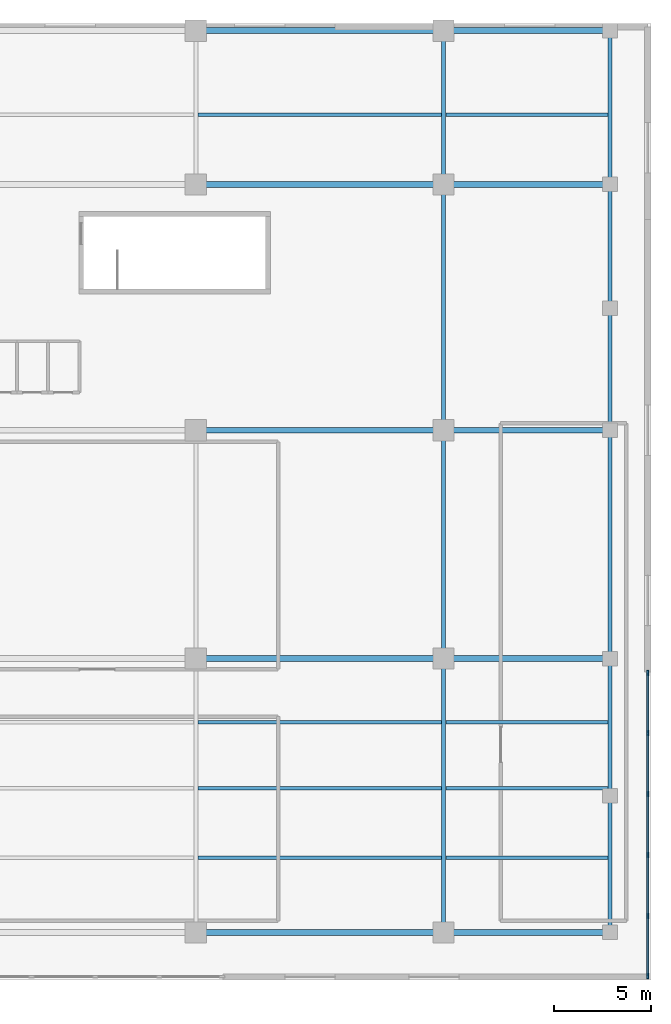
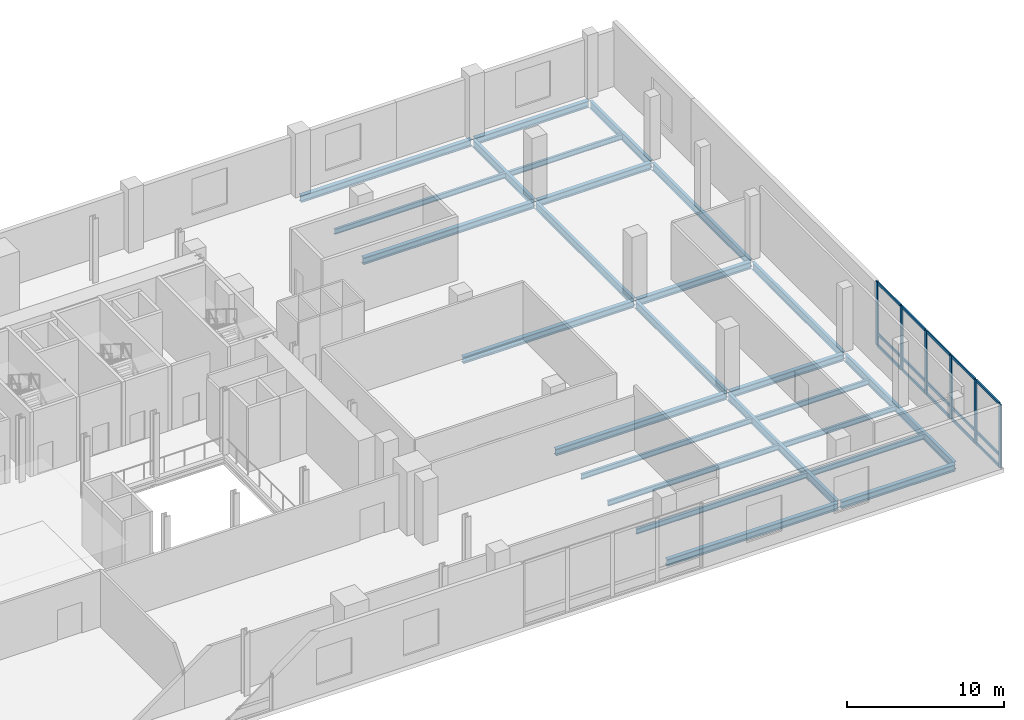
# One storey, part 5 of 13: 26 beams, 21 members, 1 element without a shape of its own.
"""IFC4 building model written with IfcOpenShell, lengths in metres."""

from ifc_helpers import new_model, si_unit, direction, frame, origin, origin_2d, place, context, subcontext, project, spatial, rectangle, i_section, extrude, source, transform, mapped, material, material_profile, profile_set, type_object, element, aggregate, save


model = new_model("IFC4")

# Units and contexts
model_context = context("Model", 3, precision=1e-05, world=origin(), true_north=direction((0.0, 1.0)))
body_context = subcontext(model_context, "Body", "Model", "MODEL_VIEW")
ifc_project = project(units=[si_unit("LENGTHUNIT", "METRE"), si_unit("AREAUNIT", "SQUARE_METRE"), si_unit("VOLUMEUNIT", "CUBIC_METRE"), si_unit("PLANEANGLEUNIT", "RADIAN"), si_unit("MASSUNIT", "GRAM", prefix="KILO")], contexts=[model_context])

# Site, building, storey
site_placement = place(None, origin())
site = spatial("IfcSite", under=ifc_project, at=site_placement, CompositionType="ELEMENT")
building_placement = place(site_placement, origin())
building = spatial("IfcBuilding", under=site, at=building_placement, Name="Vardaveli Station Tower", CompositionType="ELEMENT")
storey_placement = place(building_placement, frame((0.0, 0.0, 22.39990234375)))
storey = spatial("IfcBuildingStorey", under=building, at=storey_placement, Name="L05", CompositionType="ELEMENT", Elevation=22.39990234375)

# Beams
ifc_material_1 = material(Name="Structural steel S355J2", Category="steel")
ifc_material_profile_1 = material_profile(ifc_material_1, i_section(OverallWidth=0.305908203125, OverallDepth=0.52392578125, WebThickness=0.02099609375, FlangeThickness=0.0400390625, FilletRadius=0.027099609375, at=origin_2d()), Name="HEM 500")
ifc_profile_set_1 = profile_set([ifc_material_profile_1], Name="Structural steel S355J2")
beam_type_1 = type_object("IfcBeamType", Name="BM-HEM500", PredefinedType="BEAM", material=ifc_profile_set_1)
shared_shape_1 = source(origin(), body_context, "Body", "SweptSolid", [
    extrude(i_section(OverallWidth=0.305908203125, OverallDepth=0.52392578125, WebThickness=0.02099609375, FlangeThickness=0.0400390625, FilletRadius=0.027099609375, at=origin_2d()), origin(), (0.0, 0.0, 1.0), 12.559814453125),
])
for number, where, z_axis, x_axis, name in (
    (1, (60.1201171875, 2.949951171875, -0.581787109375), (1.0, 0.0, 0.0), (0.0, 1.0, 0.0), "PBM-L05-EW0-1"),
    (2, (60.1201171875, 17.10009765625, -0.581787109375), (1.0, 0.0, 0.0), (0.0, 1.0, 0.0), "PBM-L05-EW1-1"),
    (3, (60.1201171875, 28.89990234375, -0.581787109375), (1.0, 0.0, 0.0), (0.0, 1.0, 0.0), "PBM-L05-EW2-1"),
    (4, (60.1201171875, 41.60009765625, -0.581787109375), (1.0, 0.0, 0.0), (0.0, 1.0, 0.0), "PBM-L05-EW3-1"),
    (5, (60.1201171875, 49.550048828125, -0.581787109375), (1.0, 0.0, 0.0), (0.0, 1.0, 0.0), "PBM-L05-EW4-1"),
):
    element("IfcBeam", number, at=place(storey_placement, frame(where, z_axis=z_axis, x_axis=x_axis)), inside=storey, type_object=beam_type_1, Name=name, PredefinedType="BEAM", context=body_context, shape_type="MappedRepresentation", body=[
        mapped(shared_shape_1, transform((0.0, 0.0, 0.0), scale=1.0)),
    ])
ifc_material_profile_2 = material_profile(ifc_material_1, i_section(OverallWidth=0.219970703125, OverallDepth=0.60009765625, WebThickness=0.011962890625, FlangeThickness=0.01904296875, FilletRadius=0.02392578125, at=origin_2d()), Name="IPE 600")
ifc_profile_set_2 = profile_set([ifc_material_profile_2], Name="Structural steel S355J2")
beam_type_2 = type_object("IfcBeamType", Name="BM-IPE600", PredefinedType="BEAM", material=ifc_profile_set_2)
shared_shape_2 = source(origin(), body_context, "Body", "SweptSolid", [
    extrude(i_section(OverallWidth=0.219970703125, OverallDepth=0.60009765625, WebThickness=0.011962890625, FlangeThickness=0.01904296875, FilletRadius=0.02392578125, at=origin_2d()), origin(), (0.0, 0.0, 1.0), 13.909912109375),
])
for number, where, z_axis, x_axis, name in (
    (6, (72.800048828125, 3.070068359375, -0.619873046875), (0.0, 1.0, 0.0), (-1.0, 0.0, 0.0), "PBM-L05-NS2-0"),
    (7, (81.39990234375, 3.070068359375, -0.619873046875), (0.0, 1.0, 0.0), (-1.0, 0.0, 0.0), "PBM-L05-NS3-0"),
):
    element("IfcBeam", number, at=place(storey_placement, frame(where, z_axis=z_axis, x_axis=x_axis)), inside=storey, type_object=beam_type_2, Name=name, PredefinedType="BEAM", context=body_context, shape_type="MappedRepresentation", body=[
        mapped(shared_shape_2, transform((0.0, 0.0, 0.0), scale=1.0)),
    ])
shared_shape_3 = source(origin(), body_context, "Body", "SweptSolid", [
    extrude(i_section(OverallWidth=0.219970703125, OverallDepth=0.60009765625, WebThickness=0.011962890625, FlangeThickness=0.01904296875, FilletRadius=0.02392578125, at=origin_2d()), origin(), (0.0, 0.0, 1.0), 11.56005859375),
])
for number, where, z_axis, x_axis, name in (
    (8, (72.800048828125, 17.219970703125, -0.619873046875), (0.0, 1.0, 0.0), (-1.0, 0.0, 0.0), "PBM-L05-NS2-1"),
    (9, (81.39990234375, 17.219970703125, -0.619873046875), (0.0, 1.0, 0.0), (-1.0, 0.0, 0.0), "PBM-L05-NS3-1"),
):
    element("IfcBeam", number, at=place(storey_placement, frame(where, z_axis=z_axis, x_axis=x_axis)), inside=storey, type_object=beam_type_2, Name=name, PredefinedType="BEAM", context=body_context, shape_type="MappedRepresentation", body=[
        mapped(shared_shape_3, transform((0.0, 0.0, 0.0), scale=1.0)),
    ])
shared_shape_4 = source(origin(), body_context, "Body", "SweptSolid", [
    extrude(i_section(OverallWidth=0.219970703125, OverallDepth=0.60009765625, WebThickness=0.011962890625, FlangeThickness=0.01904296875, FilletRadius=0.02392578125, at=origin_2d()), origin(), (0.0, 0.0, 1.0), 12.4599609375),
])
for number, where, z_axis, x_axis, name in (
    (10, (72.800048828125, 29.02001953125, -0.619873046875), (0.0, 1.0, 0.0), (-1.0, 0.0, 0.0), "PBM-L05-NS2-2"),
    (11, (81.39990234375, 29.02001953125, -0.619873046875), (0.0, 1.0, 0.0), (-1.0, 0.0, 0.0), "PBM-L05-NS3-2"),
):
    element("IfcBeam", number, at=place(storey_placement, frame(where, z_axis=z_axis, x_axis=x_axis)), inside=storey, type_object=beam_type_2, Name=name, PredefinedType="BEAM", context=body_context, shape_type="MappedRepresentation", body=[
        mapped(shared_shape_4, transform((0.0, 0.0, 0.0), scale=1.0)),
    ])
shared_shape_5 = source(origin(), body_context, "Body", "SweptSolid", [
    extrude(i_section(OverallWidth=0.219970703125, OverallDepth=0.60009765625, WebThickness=0.011962890625, FlangeThickness=0.01904296875, FilletRadius=0.02392578125, at=origin_2d()), origin(), (0.0, 0.0, 1.0), 7.7099609375),
])
for number, where, z_axis, x_axis, name in (
    (12, (72.800048828125, 41.719970703125, -0.619873046875), (0.0, 1.0, 0.0), (-1.0, 0.0, 0.0), "PBM-L05-NS2-3"),
    (13, (81.39990234375, 41.719970703125, -0.619873046875), (0.0, 1.0, 0.0), (-1.0, 0.0, 0.0), "PBM-L05-NS3-3"),
):
    element("IfcBeam", number, at=place(storey_placement, frame(where, z_axis=z_axis, x_axis=x_axis)), inside=storey, type_object=beam_type_2, Name=name, PredefinedType="BEAM", context=body_context, shape_type="MappedRepresentation", body=[
        mapped(shared_shape_5, transform((0.0, 0.0, 0.0), scale=1.0)),
    ])
ifc_material_profile_3 = material_profile(ifc_material_1, i_section(OverallWidth=0.179931640625, OverallDepth=0.39990234375, WebThickness=0.008544921875, FlangeThickness=0.013427734375, FilletRadius=0.02099609375, at=origin_2d()), Name="IPE 400")
ifc_profile_set_3 = profile_set([ifc_material_profile_3], Name="Structural steel S355J2")
beam_type_3 = type_object("IfcBeamType", Name="BM-IPE400", PredefinedType="JOIST", material=ifc_profile_set_3)
shared_shape_6 = source(origin(), body_context, "Body", "SweptSolid", [
    extrude(i_section(OverallWidth=0.179931640625, OverallDepth=0.39990234375, WebThickness=0.008544921875, FlangeThickness=0.013427734375, FilletRadius=0.02099609375, at=origin_2d()), origin(), (0.0, 0.0, 1.0), 12.575927734375),
])
for number, where, z_axis, x_axis, name in (
    (14, (60.112060546875, 6.800048828125, -0.52001953125), (1.0, 0.0, 0.0), (0.0, 1.0, 0.0), "PJ-L05-1-1"),
    (15, (60.112060546875, 10.39990234375, -0.52001953125), (1.0, 0.0, 0.0), (0.0, 1.0, 0.0), "PJ-L05-2-1"),
    (16, (60.112060546875, 13.800048828125, -0.52001953125), (1.0, 0.0, 0.0), (0.0, 1.0, 0.0), "PJ-L05-3-1"),
    (17, (60.112060546875, 45.199951171875, -0.52001953125), (1.0, 0.0, 0.0), (0.0, 1.0, 0.0), "PJ-L05-4-1"),
):
    element("IfcBeam", number, at=place(storey_placement, frame(where, z_axis=z_axis, x_axis=x_axis)), inside=storey, type_object=beam_type_3, Name=name, PredefinedType="JOIST", context=body_context, shape_type="MappedRepresentation", body=[
        mapped(shared_shape_6, transform((0.0, 0.0, 0.0), scale=1.0)),
    ])
shared_shape_7 = source(origin(), body_context, "Body", "SweptSolid", [
    extrude(i_section(OverallWidth=0.305908203125, OverallDepth=0.52392578125, WebThickness=0.02099609375, FlangeThickness=0.0400390625, FilletRadius=0.027099609375, at=origin_2d()), origin(), (0.0, 0.0, 1.0), 8.360107421875),
])
for number, where, z_axis, x_axis, name in (
    (18, (72.919921875, 2.949951171875, -0.581787109375), (1.0, 0.0, 0.0), (0.0, 1.0, 0.0), "PBM-L05-EW0-2"),
    (19, (72.919921875, 17.10009765625, -0.581787109375), (1.0, 0.0, 0.0), (0.0, 1.0, 0.0), "PBM-L05-EW1-2"),
    (20, (72.919921875, 28.89990234375, -0.581787109375), (1.0, 0.0, 0.0), (0.0, 1.0, 0.0), "PBM-L05-EW2-2"),
    (21, (72.919921875, 41.60009765625, -0.581787109375), (1.0, 0.0, 0.0), (0.0, 1.0, 0.0), "PBM-L05-EW3-2"),
    (22, (72.919921875, 49.550048828125, -0.581787109375), (1.0, 0.0, 0.0), (0.0, 1.0, 0.0), "PBM-L05-EW4-2"),
):
    element("IfcBeam", number, at=place(storey_placement, frame(where, z_axis=z_axis, x_axis=x_axis)), inside=storey, type_object=beam_type_1, Name=name, PredefinedType="BEAM", context=body_context, shape_type="MappedRepresentation", body=[
        mapped(shared_shape_7, transform((0.0, 0.0, 0.0), scale=1.0)),
    ])
shared_shape_8 = source(origin(), body_context, "Body", "SweptSolid", [
    extrude(i_section(OverallWidth=0.179931640625, OverallDepth=0.39990234375, WebThickness=0.008544921875, FlangeThickness=0.013427734375, FilletRadius=0.02099609375, at=origin_2d()), origin(), (0.0, 0.0, 1.0), 8.3759765625),
])
for number, where, z_axis, x_axis, name in (
    (23, (72.912109375, 6.800048828125, -0.52001953125), (1.0, 0.0, 0.0), (0.0, 1.0, 0.0), "PJ-L05-1-2"),
    (24, (72.912109375, 10.39990234375, -0.52001953125), (1.0, 0.0, 0.0), (0.0, 1.0, 0.0), "PJ-L05-2-2"),
    (25, (72.912109375, 13.800048828125, -0.52001953125), (1.0, 0.0, 0.0), (0.0, 1.0, 0.0), "PJ-L05-3-2"),
    (26, (72.912109375, 45.199951171875, -0.52001953125), (1.0, 0.0, 0.0), (0.0, 1.0, 0.0), "PJ-L05-4-2"),
):
    element("IfcBeam", number, at=place(storey_placement, frame(where, z_axis=z_axis, x_axis=x_axis)), inside=storey, type_object=beam_type_3, Name=name, PredefinedType="JOIST", context=body_context, shape_type="MappedRepresentation", body=[
        mapped(shared_shape_8, transform((0.0, 0.0, 0.0), scale=1.0)),
    ])

# Curtain wall, members
ifc_material_2 = material(Name="Travertine stone and solar-control glass", Category="masonry")
curtain_wall_type = type_object("IfcCurtainWallType", Name="CW-SYS-1", PredefinedType="NOTDEFINED", material=ifc_material_2)
curtain_wall_placement = place(storey_placement, origin())
curtain_wall = element("IfcCurtainWall", 27, at=curtain_wall_placement, inside=storey, type_object=curtain_wall_type, Name="CW-L05-E1", PredefinedType="NOTDEFINED")
ifc_material_3 = material(Name="Anodised aluminium alloy 6063-T6", Category="aluminium")
ifc_material_profile_4 = material_profile(ifc_material_3, rectangle(XDim=0.094970703125, YDim=0.2099609375, at=origin_2d()), Name="CWT 95x210")
ifc_profile_set_4 = profile_set([ifc_material_profile_4], Name="Anodised aluminium alloy 6063-T6")
member_type_1 = type_object("IfcMemberType", Name="CW-SYS-1-TRAN", PredefinedType="NOTDEFINED", material=ifc_profile_set_4)
shared_shape_9 = source(origin(), body_context, "Body", "SweptSolid", [
    extrude(rectangle(XDim=0.094970703125, YDim=0.2099609375, at=origin_2d()), origin(), (0.0, 0.0, 1.0), 3.00732421875),
])
member_1_placement = place(storey_placement, frame((83.35009765625, 0.7451171875, 0.047607421875), z_axis=(0.0, 1.0, 0.0), x_axis=(-1.0, 0.0, 0.0)))
member_1 = element("IfcMember", 28, at=member_1_placement, type_object=member_type_1, Name="CW-1 transom 1.1", ObjectType="TRANSOM", PredefinedType="USERDEFINED", context=body_context, shape_type="MappedRepresentation", body=[
    mapped(shared_shape_9, transform((0.0, 0.0, 0.0), scale=1.0)),
])
member_2_placement = place(storey_placement, frame((83.35009765625, 0.7451171875, 0.9501953125), z_axis=(0.0, 1.0, 0.0), x_axis=(-1.0, 0.0, 0.0)))
member_2 = element("IfcMember", 29, at=member_2_placement, type_object=member_type_1, Name="CW-1 transom 1.2", ObjectType="TRANSOM", PredefinedType="USERDEFINED", context=body_context, shape_type="MappedRepresentation", body=[
    mapped(shared_shape_9, transform((0.0, 0.0, 0.0), scale=1.0)),
])
member_3_placement = place(storey_placement, frame((83.35009765625, 0.7451171875, 4.91259765625), z_axis=(0.0, 1.0, 0.0), x_axis=(-1.0, 0.0, 0.0)))
member_3 = element("IfcMember", 30, at=member_3_placement, type_object=member_type_1, Name="CW-1 transom 1.3", ObjectType="TRANSOM", PredefinedType="USERDEFINED", context=body_context, shape_type="MappedRepresentation", body=[
    mapped(shared_shape_9, transform((0.0, 0.0, 0.0), scale=1.0)),
])
member_4_placement = place(storey_placement, frame((83.35009765625, 13.297607421875, 0.047607421875), z_axis=(0.0, 1.0, 0.0), x_axis=(-1.0, 0.0, 0.0)))
member_4 = element("IfcMember", 31, at=member_4_placement, type_object=member_type_1, Name="CW-1 transom 5.1", ObjectType="TRANSOM", PredefinedType="USERDEFINED", context=body_context, shape_type="MappedRepresentation", body=[
    mapped(shared_shape_9, transform((0.0, 0.0, 0.0), scale=1.0)),
])
member_5_placement = place(storey_placement, frame((83.35009765625, 13.297607421875, 0.9501953125), z_axis=(0.0, 1.0, 0.0), x_axis=(-1.0, 0.0, 0.0)))
member_5 = element("IfcMember", 32, at=member_5_placement, type_object=member_type_1, Name="CW-1 transom 5.2", ObjectType="TRANSOM", PredefinedType="USERDEFINED", context=body_context, shape_type="MappedRepresentation", body=[
    mapped(shared_shape_9, transform((0.0, 0.0, 0.0), scale=1.0)),
])
member_6_placement = place(storey_placement, frame((83.35009765625, 13.297607421875, 4.91259765625), z_axis=(0.0, 1.0, 0.0), x_axis=(-1.0, 0.0, 0.0)))
member_6 = element("IfcMember", 33, at=member_6_placement, type_object=member_type_1, Name="CW-1 transom 5.3", ObjectType="TRANSOM", PredefinedType="USERDEFINED", context=body_context, shape_type="MappedRepresentation", body=[
    mapped(shared_shape_9, transform((0.0, 0.0, 0.0), scale=1.0)),
])
shared_shape_10 = source(origin(), body_context, "Body", "SweptSolid", [
    extrude(rectangle(XDim=0.094970703125, YDim=0.2099609375, at=origin_2d()), origin(), (0.0, 0.0, 1.0), 3.05517578125),
])
member_7_placement = place(storey_placement, frame((83.35009765625, 3.847412109375, 0.047607421875), z_axis=(0.0, 1.0, 0.0), x_axis=(-1.0, 0.0, 0.0)))
member_7 = element("IfcMember", 34, at=member_7_placement, type_object=member_type_1, Name="CW-1 transom 2.1", ObjectType="TRANSOM", PredefinedType="USERDEFINED", context=body_context, shape_type="MappedRepresentation", body=[
    mapped(shared_shape_10, transform((0.0, 0.0, 0.0), scale=1.0)),
])
member_8_placement = place(storey_placement, frame((83.35009765625, 3.847412109375, 0.9501953125), z_axis=(0.0, 1.0, 0.0), x_axis=(-1.0, 0.0, 0.0)))
member_8 = element("IfcMember", 35, at=member_8_placement, type_object=member_type_1, Name="CW-1 transom 2.2", ObjectType="TRANSOM", PredefinedType="USERDEFINED", context=body_context, shape_type="MappedRepresentation", body=[
    mapped(shared_shape_10, transform((0.0, 0.0, 0.0), scale=1.0)),
])
member_9_placement = place(storey_placement, frame((83.35009765625, 3.847412109375, 4.91259765625), z_axis=(0.0, 1.0, 0.0), x_axis=(-1.0, 0.0, 0.0)))
member_9 = element("IfcMember", 36, at=member_9_placement, type_object=member_type_1, Name="CW-1 transom 2.3", ObjectType="TRANSOM", PredefinedType="USERDEFINED", context=body_context, shape_type="MappedRepresentation", body=[
    mapped(shared_shape_10, transform((0.0, 0.0, 0.0), scale=1.0)),
])
shared_shape_11 = source(origin(), body_context, "Body", "SweptSolid", [
    extrude(rectangle(XDim=0.094970703125, YDim=0.2099609375, at=origin_2d()), origin(), (0.0, 0.0, 1.0), 3.054931640625),
])
member_10_placement = place(storey_placement, frame((83.35009765625, 6.99755859375, 0.047607421875), z_axis=(0.0, 1.0, 0.0), x_axis=(-1.0, 0.0, 0.0)))
member_10 = element("IfcMember", 37, at=member_10_placement, type_object=member_type_1, Name="CW-1 transom 3.1", ObjectType="TRANSOM", PredefinedType="USERDEFINED", context=body_context, shape_type="MappedRepresentation", body=[
    mapped(shared_shape_11, transform((0.0, 0.0, 0.0), scale=1.0)),
])
member_11_placement = place(storey_placement, frame((83.35009765625, 6.99755859375, 0.9501953125), z_axis=(0.0, 1.0, 0.0), x_axis=(-1.0, 0.0, 0.0)))
member_11 = element("IfcMember", 38, at=member_11_placement, type_object=member_type_1, Name="CW-1 transom 3.2", ObjectType="TRANSOM", PredefinedType="USERDEFINED", context=body_context, shape_type="MappedRepresentation", body=[
    mapped(shared_shape_11, transform((0.0, 0.0, 0.0), scale=1.0)),
])
member_12_placement = place(storey_placement, frame((83.35009765625, 6.99755859375, 4.91259765625), z_axis=(0.0, 1.0, 0.0), x_axis=(-1.0, 0.0, 0.0)))
member_12 = element("IfcMember", 39, at=member_12_placement, type_object=member_type_1, Name="CW-1 transom 3.3", ObjectType="TRANSOM", PredefinedType="USERDEFINED", context=body_context, shape_type="MappedRepresentation", body=[
    mapped(shared_shape_11, transform((0.0, 0.0, 0.0), scale=1.0)),
])
member_13_placement = place(storey_placement, frame((83.35009765625, 10.1474609375, 0.047607421875), z_axis=(0.0, 1.0, 0.0), x_axis=(-1.0, 0.0, 0.0)))
member_13 = element("IfcMember", 40, at=member_13_placement, type_object=member_type_1, Name="CW-1 transom 4.1", ObjectType="TRANSOM", PredefinedType="USERDEFINED", context=body_context, shape_type="MappedRepresentation", body=[
    mapped(shared_shape_11, transform((0.0, 0.0, 0.0), scale=1.0)),
])
member_14_placement = place(storey_placement, frame((83.35009765625, 10.1474609375, 0.9501953125), z_axis=(0.0, 1.0, 0.0), x_axis=(-1.0, 0.0, 0.0)))
member_14 = element("IfcMember", 41, at=member_14_placement, type_object=member_type_1, Name="CW-1 transom 4.2", ObjectType="TRANSOM", PredefinedType="USERDEFINED", context=body_context, shape_type="MappedRepresentation", body=[
    mapped(shared_shape_11, transform((0.0, 0.0, 0.0), scale=1.0)),
])
member_15_placement = place(storey_placement, frame((83.35009765625, 10.1474609375, 4.91259765625), z_axis=(0.0, 1.0, 0.0), x_axis=(-1.0, 0.0, 0.0)))
member_15 = element("IfcMember", 42, at=member_15_placement, type_object=member_type_1, Name="CW-1 transom 4.3", ObjectType="TRANSOM", PredefinedType="USERDEFINED", context=body_context, shape_type="MappedRepresentation", body=[
    mapped(shared_shape_11, transform((0.0, 0.0, 0.0), scale=1.0)),
])
ifc_material_profile_5 = material_profile(ifc_material_3, rectangle(XDim=0.094970703125, YDim=0.27001953125, at=origin_2d()), Name="CWM 95x270")
ifc_profile_set_5 = profile_set([ifc_material_profile_5], Name="Anodised aluminium alloy 6063-T6")
member_type_2 = type_object("IfcMemberType", Name="CW-SYS-1-MULL", PredefinedType="MULLION", material=ifc_profile_set_5)
shared_shape_12 = source(origin(), body_context, "Body", "SweptSolid", [
    extrude(rectangle(XDim=0.094970703125, YDim=0.27001953125, at=origin_2d()), origin(), (0.0, 0.0, 1.0), 4.960205078125),
])
member_16_placement = place(storey_placement, frame((83.35009765625, 0.697509765625, 0.0), z_axis=(0.0, 0.0, 1.0), x_axis=(-1.0, 0.0, 0.0)))
member_16 = element("IfcMember", 43, at=member_16_placement, type_object=member_type_2, Name="CW-1 mullion 1", PredefinedType="MULLION", context=body_context, shape_type="MappedRepresentation", body=[
    mapped(shared_shape_12, transform((0.0, 0.0, 0.0), scale=1.0)),
])
member_17_placement = place(storey_placement, frame((83.35009765625, 3.800048828125, 0.0), z_axis=(0.0, 0.0, 1.0), x_axis=(-1.0, 0.0, 0.0)))
member_17 = element("IfcMember", 44, at=member_17_placement, type_object=member_type_2, Name="CW-1 mullion 2", PredefinedType="MULLION", context=body_context, shape_type="MappedRepresentation", body=[
    mapped(shared_shape_12, transform((0.0, 0.0, 0.0), scale=1.0)),
])
member_18_placement = place(storey_placement, frame((83.35009765625, 6.949951171875, 0.0), z_axis=(0.0, 0.0, 1.0), x_axis=(-1.0, 0.0, 0.0)))
member_18 = element("IfcMember", 45, at=member_18_placement, type_object=member_type_2, Name="CW-1 mullion 3", PredefinedType="MULLION", context=body_context, shape_type="MappedRepresentation", body=[
    mapped(shared_shape_12, transform((0.0, 0.0, 0.0), scale=1.0)),
])
member_19_placement = place(storey_placement, frame((83.35009765625, 10.10009765625, 0.0), z_axis=(0.0, 0.0, 1.0), x_axis=(-1.0, 0.0, 0.0)))
member_19 = element("IfcMember", 46, at=member_19_placement, type_object=member_type_2, Name="CW-1 mullion 4", PredefinedType="MULLION", context=body_context, shape_type="MappedRepresentation", body=[
    mapped(shared_shape_12, transform((0.0, 0.0, 0.0), scale=1.0)),
])
member_20_placement = place(storey_placement, frame((83.35009765625, 13.25, 0.0), z_axis=(0.0, 0.0, 1.0), x_axis=(-1.0, 0.0, 0.0)))
member_20 = element("IfcMember", 47, at=member_20_placement, type_object=member_type_2, Name="CW-1 mullion 5", PredefinedType="MULLION", context=body_context, shape_type="MappedRepresentation", body=[
    mapped(shared_shape_12, transform((0.0, 0.0, 0.0), scale=1.0)),
])
member_21_placement = place(storey_placement, frame((83.35009765625, 16.3525390625, 0.0), z_axis=(0.0, 0.0, 1.0), x_axis=(-1.0, 0.0, 0.0)))
member_21 = element("IfcMember", 48, at=member_21_placement, type_object=member_type_2, Name="CW-1 mullion 6", PredefinedType="MULLION", context=body_context, shape_type="MappedRepresentation", body=[
    mapped(shared_shape_12, transform((0.0, 0.0, 0.0), scale=1.0)),
])
aggregate(curtain_wall, [member_16, member_17, member_18, member_19, member_20, member_21, member_1, member_2, member_3, member_7, member_8, member_9, member_10, member_11, member_12, member_13, member_14, member_15, member_4, member_5, member_6])

save(model, "model.ifc")
